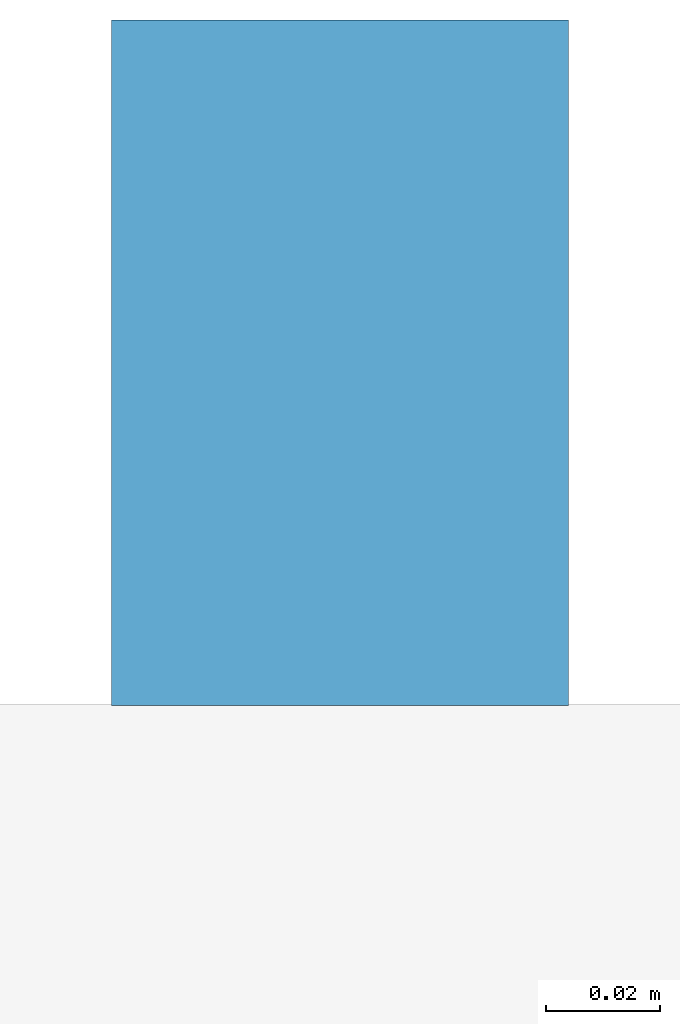
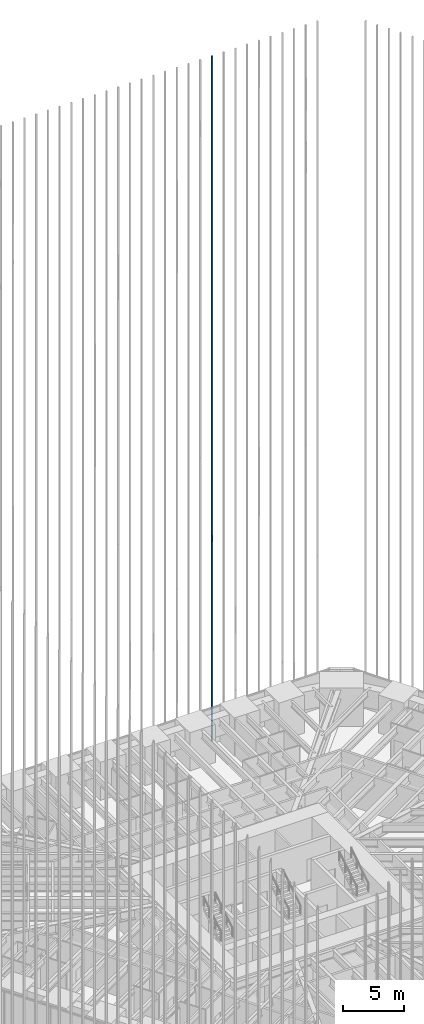
# One storey, part 224 of 256: 1 member, 1 element without a shape of its own.
"""IFC4 building model written with IfcOpenShell, lengths in metres."""

from ifc_helpers import new_model, si_unit, direction, frame, origin, origin_2d, place, context, subcontext, project, spatial, rectangle, extrude, material, material_profile, profile_set, type_object, element, aggregate, save


model = new_model("IFC4")

# Units and contexts
model_context = context("Model", 3, precision=1e-05, world=origin(), true_north=direction((0.0, 1.0)))
body_context = subcontext(model_context, "Body", "Model", "MODEL_VIEW")
ifc_project = project(units=[si_unit("LENGTHUNIT", "METRE"), si_unit("AREAUNIT", "SQUARE_METRE"), si_unit("VOLUMEUNIT", "CUBIC_METRE"), si_unit("PLANEANGLEUNIT", "RADIAN"), si_unit("MASSUNIT", "GRAM", prefix="KILO")], contexts=[model_context])

# Site, building, storey
site_placement = place(None, origin())
site = spatial("IfcSite", under=ifc_project, at=site_placement, CompositionType="ELEMENT")
building_placement = place(site_placement, origin())
building = spatial("IfcBuilding", under=site, at=building_placement, Name="Sandreach Pilgrim Tower", CompositionType="ELEMENT")
storey_placement = place(building_placement, frame((0.0, 0.0, 23.0)))
storey = spatial("IfcBuildingStorey", under=building, at=storey_placement, Name="L04", CompositionType="ELEMENT", Elevation=23.0)

# Curtain wall, member
ifc_material_1 = material(Name="Aluminium framed curtain wall", Category="aluminium")
curtain_wall_type = type_object("IfcCurtainWallType", Name="Hostel tower curtain wall", PredefinedType="NOTDEFINED", material=ifc_material_1)
curtain_wall_placement = place(storey_placement, origin())
curtain_wall = element("IfcCurtainWall", 1, at=curtain_wall_placement, inside=storey, type_object=curtain_wall_type, Name="CW-1 L04 N", PredefinedType="NOTDEFINED")
ifc_material_2 = material(Name="Extruded terracotta on aluminium core", Category="masonry")
ifc_material_profile = material_profile(ifc_material_2, rectangle(XDim=0.080078125, YDim=0.1201171875, at=origin_2d()), Name="TBN 80X120")
ifc_profile_set = profile_set([ifc_material_profile], Name="Extruded terracotta on aluminium core")
member_type = type_object("IfcMemberType", Name="Terracotta baguette north", PredefinedType="USERDEFINED", material=ifc_profile_set)
member_placement = place(storey_placement, frame((8.83544921875, 24.30859375, 0.0), z_axis=(0.0, 0.0, 1.0), x_axis=(1.0, 0.0, 0.0)))
member = element("IfcMember", 2, at=member_placement, type_object=member_type, Name="Baguette Z1 N26", ObjectType="BAGUETTE", PredefinedType="USERDEFINED", context=body_context, shape_type="SweptSolid", body=[
    extrude(rectangle(XDim=0.080078125, YDim=0.1201171875, at=origin_2d()), origin(), (0.0, 0.0, 1.0), 68.239990234375),
])
aggregate(curtain_wall, [member])

save(model, "model.ifc")
